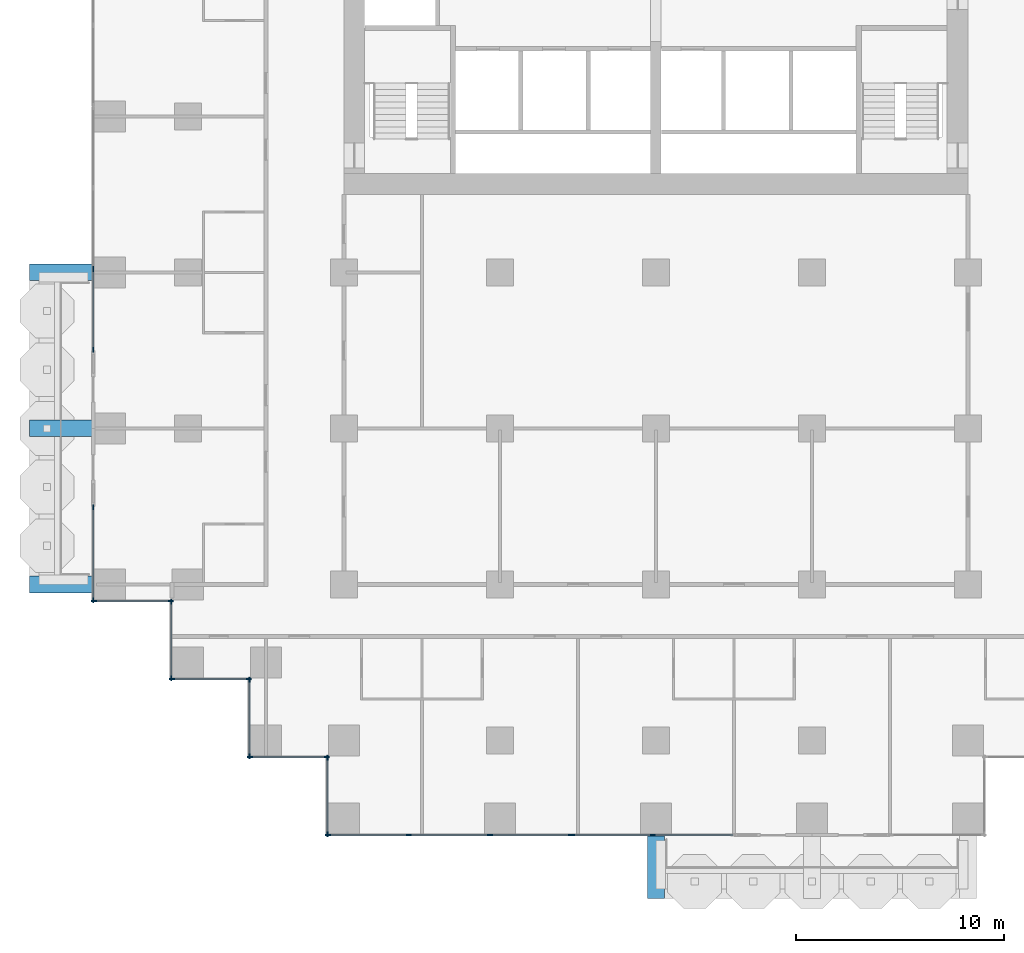
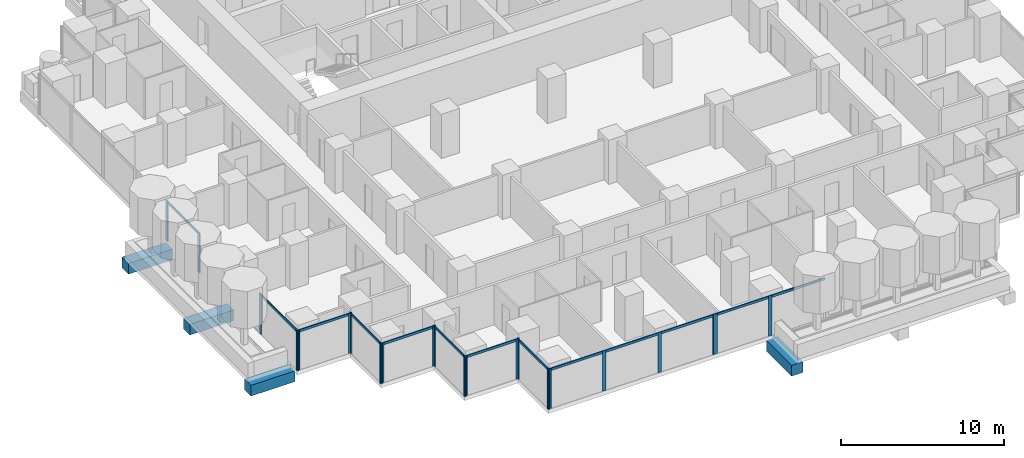
# One storey, part 2 of 19: 35 members, 4 beams, 10 elements without a shape of their own.
"""IFC4 building model written with IfcOpenShell, lengths in metres."""

from ifc_helpers import new_model, si_unit, direction, frame, origin, origin_2d, place, context, subcontext, project, spatial, rectangle, extrude, material, material_profile, profile_set, type_object, element, aggregate, save


model = new_model("IFC4")

# Units and contexts
model_context = context("Model", 3, precision=1e-05, world=origin(), true_north=direction((0.0, 1.0)))
body_context = subcontext(model_context, "Body", "Model", "MODEL_VIEW")
ifc_project = project(units=[si_unit("LENGTHUNIT", "METRE"), si_unit("AREAUNIT", "SQUARE_METRE"), si_unit("VOLUMEUNIT", "CUBIC_METRE"), si_unit("PLANEANGLEUNIT", "RADIAN"), si_unit("MASSUNIT", "GRAM", prefix="KILO")], contexts=[model_context])

# Site, building, storey
site_placement = place(None, origin())
site = spatial("IfcSite", under=ifc_project, at=site_placement, CompositionType="ELEMENT")
building_placement = place(site_placement, origin())
building = spatial("IfcBuilding", under=site, at=building_placement, Name="Pilkhan Gate Tower", CompositionType="ELEMENT")
storey_placement = place(building_placement, frame((0.0, 0.0, 79.10009765625)))
storey = spatial("IfcBuildingStorey", under=building, at=storey_placement, Name="L18", CompositionType="ELEMENT", Elevation=79.10009765625)

# Beams
ifc_material_1 = material(Name="Concrete C50/60", Category="concrete")
ifc_material_profile_1 = material_profile(ifc_material_1, rectangle(XDim=0.800048828125, YDim=0.800048828125, at=origin_2d()), Name="RC 800x800")
ifc_profile_set_1 = profile_set([ifc_material_profile_1], Name="Concrete C50/60")
beam_type = type_object("IfcBeamType", Name="Cantilever beam CB2 RC 800x800 C50/60", PredefinedType="BEAM", material=ifc_profile_set_1)
for number, where, z_axis, x_axis, name in (
    (1, (75.0, 40.5, -0.7001953125), (0.0, -1.0, 0.0), (1.0, 0.0, 0.0), "Balcony beam S.1 L18"),
    (2, (48.0, 52.5, -0.7001953125), (-1.0, 0.0, 0.0), (0.0, -1.0, 0.0), "Balcony beam W.1 L18"),
    (3, (48.0, 60.0, -0.7001953125), (-1.0, 0.0, 0.0), (0.0, -1.0, 0.0), "Balcony beam W.2 L18"),
    (4, (48.0, 67.5, -0.7001953125), (-1.0, 0.0, 0.0), (0.0, -1.0, 0.0), "Balcony beam W.3 L18"),
):
    element("IfcBeam", number, at=place(storey_placement, frame(where, z_axis=z_axis, x_axis=x_axis)), inside=storey, type_object=beam_type, Name=name, PredefinedType="BEAM", context=body_context, shape_type="SweptSolid", body=[
        extrude(rectangle(XDim=0.800048828125, YDim=0.800048828125, at=origin_2d()), origin(), (0.0, 0.0, 1.0), 3.10009765625),
    ])

# Curtain wall, members
ifc_material_2 = material(Name="Pale anodised aluminium, clear low-iron double glazing", Category="aluminium")
curtain_wall_type = type_object("IfcCurtainWallType", Name="Hotel unitised curtain wall CW-H", PredefinedType="USERDEFINED", material=ifc_material_2)
curtain_wall_1_placement = place(storey_placement, origin())
curtain_wall_1 = element("IfcCurtainWall", 5, at=curtain_wall_1_placement, inside=storey, type_object=curtain_wall_type, Name="Hotel unitised curtain wall CW-H L18 W", ObjectType="UNITISED CURTAIN WALL", PredefinedType="USERDEFINED")
ifc_material_3 = material(Name="Pale anodised aluminium", Category="aluminium")
ifc_material_profile_2 = material_profile(ifc_material_3, rectangle(XDim=0.06494140625, YDim=0.25, at=origin_2d()), Name="Mullion 250x65")
ifc_profile_set_2 = profile_set([ifc_material_profile_2], Name="Pale anodised aluminium")
member_type_1 = type_object("IfcMemberType", Name="Mullion CW-H 250x65", PredefinedType="MULLION", material=ifc_profile_set_2)
member_1_placement = place(storey_placement, frame((47.955078125, 51.737548828125, 0.0), z_axis=(0.0, 0.0, 1.0), x_axis=(-1.0, 0.0, 0.0)))
member_1 = element("IfcMember", 6, at=member_1_placement, type_object=member_type_1, Name="CW-H mullion 1", PredefinedType="MULLION", context=body_context, shape_type="SweptSolid", body=[
    extrude(rectangle(XDim=0.06494140625, YDim=0.25, at=origin_2d()), origin(), (0.0, 0.0, 1.0), 3.0),
])
member_2_placement = place(storey_placement, frame((47.955078125, 56.217529296875, 0.0), z_axis=(0.0, 0.0, 1.0), x_axis=(-1.0, 0.0, 0.0)))
member_2 = element("IfcMember", 7, at=member_2_placement, type_object=member_type_1, Name="CW-H mullion 2", PredefinedType="MULLION", context=body_context, shape_type="SweptSolid", body=[
    extrude(rectangle(XDim=0.06494140625, YDim=0.25, at=origin_2d()), origin(), (0.0, 0.0, 1.0), 3.0),
])

curtain_wall_2_placement = place(storey_placement, origin())
curtain_wall_2 = element("IfcCurtainWall", 8, at=curtain_wall_2_placement, inside=storey, type_object=curtain_wall_type, Name="Hotel unitised curtain wall CW-H L18 W", ObjectType="UNITISED CURTAIN WALL", PredefinedType="USERDEFINED")
member_3_placement = place(storey_placement, frame((47.955078125, 63.782470703125, 0.0), z_axis=(0.0, 0.0, 1.0), x_axis=(-1.0, 0.0, 0.0)))
member_3 = element("IfcMember", 9, at=member_3_placement, type_object=member_type_1, Name="CW-H mullion 1", PredefinedType="MULLION", context=body_context, shape_type="SweptSolid", body=[
    extrude(rectangle(XDim=0.06494140625, YDim=0.25, at=origin_2d()), origin(), (0.0, 0.0, 1.0), 3.0),
])
member_4_placement = place(storey_placement, frame((47.955078125, 67.658935546875, 0.0), z_axis=(0.0, 0.0, 1.0), x_axis=(-1.0, 0.0, 0.0)))
member_4 = element("IfcMember", 10, at=member_4_placement, type_object=member_type_1, Name="CW-H mullion 2", PredefinedType="MULLION", context=body_context, shape_type="SweptSolid", body=[
    extrude(rectangle(XDim=0.06494140625, YDim=0.25, at=origin_2d()), origin(), (0.0, 0.0, 1.0), 3.0),
])

curtain_wall_3_placement = place(storey_placement, origin())
curtain_wall_3 = element("IfcCurtainWall", 11, at=curtain_wall_3_placement, inside=storey, type_object=curtain_wall_type, Name="Hotel unitised curtain wall CW-H L18 S", ObjectType="UNITISED CURTAIN WALL", PredefinedType="USERDEFINED")
member_5_placement = place(storey_placement, frame((47.987548828125, 51.705078125, 0.0), z_axis=(0.0, 0.0, 1.0), x_axis=(0.0, 1.0, 0.0)))
member_5 = element("IfcMember", 12, at=member_5_placement, type_object=member_type_1, Name="CW-H mullion 1", PredefinedType="MULLION", context=body_context, shape_type="SweptSolid", body=[
    extrude(rectangle(XDim=0.06494140625, YDim=0.25, at=origin_2d()), origin(), (0.0, 0.0, 1.0), 3.0),
])
member_6_placement = place(storey_placement, frame((51.672607421875, 51.705078125, 0.0), z_axis=(0.0, 0.0, 1.0), x_axis=(0.0, 1.0, 0.0)))
member_6 = element("IfcMember", 13, at=member_6_placement, type_object=member_type_1, Name="CW-H mullion 2", PredefinedType="MULLION", context=body_context, shape_type="SweptSolid", body=[
    extrude(rectangle(XDim=0.06494140625, YDim=0.25, at=origin_2d()), origin(), (0.0, 0.0, 1.0), 3.0),
])

curtain_wall_4_placement = place(storey_placement, origin())
curtain_wall_4 = element("IfcCurtainWall", 14, at=curtain_wall_4_placement, inside=storey, type_object=curtain_wall_type, Name="Hotel unitised curtain wall CW-H L18 W", ObjectType="UNITISED CURTAIN WALL", PredefinedType="USERDEFINED")
member_7_placement = place(storey_placement, frame((51.705078125, 47.987548828125, 0.0), z_axis=(0.0, 0.0, 1.0), x_axis=(-1.0, 0.0, 0.0)))
member_7 = element("IfcMember", 15, at=member_7_placement, type_object=member_type_1, Name="CW-H mullion 1", PredefinedType="MULLION", context=body_context, shape_type="SweptSolid", body=[
    extrude(rectangle(XDim=0.06494140625, YDim=0.25, at=origin_2d()), origin(), (0.0, 0.0, 1.0), 3.0),
])
member_8_placement = place(storey_placement, frame((51.705078125, 51.672607421875, 0.0), z_axis=(0.0, 0.0, 1.0), x_axis=(-1.0, 0.0, 0.0)))
member_8 = element("IfcMember", 16, at=member_8_placement, type_object=member_type_1, Name="CW-H mullion 2", PredefinedType="MULLION", context=body_context, shape_type="SweptSolid", body=[
    extrude(rectangle(XDim=0.06494140625, YDim=0.25, at=origin_2d()), origin(), (0.0, 0.0, 1.0), 3.0),
])

curtain_wall_5_placement = place(storey_placement, origin())
curtain_wall_5 = element("IfcCurtainWall", 17, at=curtain_wall_5_placement, inside=storey, type_object=curtain_wall_type, Name="Hotel unitised curtain wall CW-H L18 S", ObjectType="UNITISED CURTAIN WALL", PredefinedType="USERDEFINED")
member_9_placement = place(storey_placement, frame((51.737548828125, 47.955078125, 0.0), z_axis=(0.0, 0.0, 1.0), x_axis=(0.0, 1.0, 0.0)))
member_9 = element("IfcMember", 18, at=member_9_placement, type_object=member_type_1, Name="CW-H mullion 1", PredefinedType="MULLION", context=body_context, shape_type="SweptSolid", body=[
    extrude(rectangle(XDim=0.06494140625, YDim=0.25, at=origin_2d()), origin(), (0.0, 0.0, 1.0), 3.0),
])
member_10_placement = place(storey_placement, frame((55.422607421875, 47.955078125, 0.0), z_axis=(0.0, 0.0, 1.0), x_axis=(0.0, 1.0, 0.0)))
member_10 = element("IfcMember", 19, at=member_10_placement, type_object=member_type_1, Name="CW-H mullion 2", PredefinedType="MULLION", context=body_context, shape_type="SweptSolid", body=[
    extrude(rectangle(XDim=0.06494140625, YDim=0.25, at=origin_2d()), origin(), (0.0, 0.0, 1.0), 3.0),
])

curtain_wall_6_placement = place(storey_placement, origin())
curtain_wall_6 = element("IfcCurtainWall", 20, at=curtain_wall_6_placement, inside=storey, type_object=curtain_wall_type, Name="Hotel unitised curtain wall CW-H L18 W", ObjectType="UNITISED CURTAIN WALL", PredefinedType="USERDEFINED")
member_11_placement = place(storey_placement, frame((55.455078125, 44.237548828125, 0.0), z_axis=(0.0, 0.0, 1.0), x_axis=(-1.0, 0.0, 0.0)))
member_11 = element("IfcMember", 21, at=member_11_placement, type_object=member_type_1, Name="CW-H mullion 1", PredefinedType="MULLION", context=body_context, shape_type="SweptSolid", body=[
    extrude(rectangle(XDim=0.06494140625, YDim=0.25, at=origin_2d()), origin(), (0.0, 0.0, 1.0), 3.0),
])
member_12_placement = place(storey_placement, frame((55.455078125, 47.922607421875, 0.0), z_axis=(0.0, 0.0, 1.0), x_axis=(-1.0, 0.0, 0.0)))
member_12 = element("IfcMember", 22, at=member_12_placement, type_object=member_type_1, Name="CW-H mullion 2", PredefinedType="MULLION", context=body_context, shape_type="SweptSolid", body=[
    extrude(rectangle(XDim=0.06494140625, YDim=0.25, at=origin_2d()), origin(), (0.0, 0.0, 1.0), 3.0),
])

curtain_wall_7_placement = place(storey_placement, origin())
curtain_wall_7 = element("IfcCurtainWall", 23, at=curtain_wall_7_placement, inside=storey, type_object=curtain_wall_type, Name="Hotel unitised curtain wall CW-H L18 S", ObjectType="UNITISED CURTAIN WALL", PredefinedType="USERDEFINED")
member_13_placement = place(storey_placement, frame((55.487548828125, 44.205078125, 0.0), z_axis=(0.0, 0.0, 1.0), x_axis=(0.0, 1.0, 0.0)))
member_13 = element("IfcMember", 24, at=member_13_placement, type_object=member_type_1, Name="CW-H mullion 1", PredefinedType="MULLION", context=body_context, shape_type="SweptSolid", body=[
    extrude(rectangle(XDim=0.06494140625, YDim=0.25, at=origin_2d()), origin(), (0.0, 0.0, 1.0), 3.0),
])
member_14_placement = place(storey_placement, frame((59.172607421875, 44.205078125, 0.0), z_axis=(0.0, 0.0, 1.0), x_axis=(0.0, 1.0, 0.0)))
member_14 = element("IfcMember", 25, at=member_14_placement, type_object=member_type_1, Name="CW-H mullion 2", PredefinedType="MULLION", context=body_context, shape_type="SweptSolid", body=[
    extrude(rectangle(XDim=0.06494140625, YDim=0.25, at=origin_2d()), origin(), (0.0, 0.0, 1.0), 3.0),
])

curtain_wall_8_placement = place(storey_placement, origin())
curtain_wall_8 = element("IfcCurtainWall", 26, at=curtain_wall_8_placement, inside=storey, type_object=curtain_wall_type, Name="Hotel unitised curtain wall CW-H L18 W", ObjectType="UNITISED CURTAIN WALL", PredefinedType="USERDEFINED")
member_15_placement = place(storey_placement, frame((59.205078125, 40.487548828125, 0.0), z_axis=(0.0, 0.0, 1.0), x_axis=(-1.0, 0.0, 0.0)))
member_15 = element("IfcMember", 27, at=member_15_placement, type_object=member_type_1, Name="CW-H mullion 1", PredefinedType="MULLION", context=body_context, shape_type="SweptSolid", body=[
    extrude(rectangle(XDim=0.06494140625, YDim=0.25, at=origin_2d()), origin(), (0.0, 0.0, 1.0), 3.0),
])
member_16_placement = place(storey_placement, frame((59.205078125, 44.172607421875, 0.0), z_axis=(0.0, 0.0, 1.0), x_axis=(-1.0, 0.0, 0.0)))
member_16 = element("IfcMember", 28, at=member_16_placement, type_object=member_type_1, Name="CW-H mullion 2", PredefinedType="MULLION", context=body_context, shape_type="SweptSolid", body=[
    extrude(rectangle(XDim=0.06494140625, YDim=0.25, at=origin_2d()), origin(), (0.0, 0.0, 1.0), 3.0),
])

curtain_wall_9_placement = place(storey_placement, origin())
curtain_wall_9 = element("IfcCurtainWall", 29, at=curtain_wall_9_placement, inside=storey, type_object=curtain_wall_type, Name="Hotel unitised curtain wall CW-H L18 S", ObjectType="UNITISED CURTAIN WALL", PredefinedType="USERDEFINED")
member_17_placement = place(storey_placement, frame((59.237548828125, 40.455078125, 0.0), z_axis=(0.0, 0.0, 1.0), x_axis=(0.0, 1.0, 0.0)))
member_17 = element("IfcMember", 30, at=member_17_placement, type_object=member_type_1, Name="CW-H mullion 1", PredefinedType="MULLION", context=body_context, shape_type="SweptSolid", body=[
    extrude(rectangle(XDim=0.06494140625, YDim=0.25, at=origin_2d()), origin(), (0.0, 0.0, 1.0), 3.0),
])
member_18_placement = place(storey_placement, frame((63.114013671875, 40.455078125, 0.0), z_axis=(0.0, 0.0, 1.0), x_axis=(0.0, 1.0, 0.0)))
member_18 = element("IfcMember", 31, at=member_18_placement, type_object=member_type_1, Name="CW-H mullion 2", PredefinedType="MULLION", context=body_context, shape_type="SweptSolid", body=[
    extrude(rectangle(XDim=0.06494140625, YDim=0.25, at=origin_2d()), origin(), (0.0, 0.0, 1.0), 3.0),
])
member_19_placement = place(storey_placement, frame((67.02294921875, 40.455078125, 0.0), z_axis=(0.0, 0.0, 1.0), x_axis=(0.0, 1.0, 0.0)))
member_19 = element("IfcMember", 32, at=member_19_placement, type_object=member_type_1, Name="CW-H mullion 3", PredefinedType="MULLION", context=body_context, shape_type="SweptSolid", body=[
    extrude(rectangle(XDim=0.06494140625, YDim=0.25, at=origin_2d()), origin(), (0.0, 0.0, 1.0), 3.0),
])
member_20_placement = place(storey_placement, frame((70.8994140625, 40.455078125, 0.0), z_axis=(0.0, 0.0, 1.0), x_axis=(0.0, 1.0, 0.0)))
member_20 = element("IfcMember", 33, at=member_20_placement, type_object=member_type_1, Name="CW-H mullion 4", PredefinedType="MULLION", context=body_context, shape_type="SweptSolid", body=[
    extrude(rectangle(XDim=0.06494140625, YDim=0.25, at=origin_2d()), origin(), (0.0, 0.0, 1.0), 3.0),
])

curtain_wall_10_placement = place(storey_placement, origin())
curtain_wall_10 = element("IfcCurtainWall", 34, at=curtain_wall_10_placement, inside=storey, type_object=curtain_wall_type, Name="Hotel unitised curtain wall CW-H L18 S", ObjectType="UNITISED CURTAIN WALL", PredefinedType="USERDEFINED")
member_21_placement = place(storey_placement, frame((70.964599609375, 40.455078125, 0.0), z_axis=(0.0, 0.0, 1.0), x_axis=(0.0, 1.0, 0.0)))
member_21 = element("IfcMember", 35, at=member_21_placement, type_object=member_type_1, Name="CW-H mullion 1", PredefinedType="MULLION", context=body_context, shape_type="SweptSolid", body=[
    extrude(rectangle(XDim=0.06494140625, YDim=0.25, at=origin_2d()), origin(), (0.0, 0.0, 1.0), 3.0),
])
member_22_placement = place(storey_placement, frame((74.841064453125, 40.455078125, 0.0), z_axis=(0.0, 0.0, 1.0), x_axis=(0.0, 1.0, 0.0)))
member_22 = element("IfcMember", 36, at=member_22_placement, type_object=member_type_1, Name="CW-H mullion 2", PredefinedType="MULLION", context=body_context, shape_type="SweptSolid", body=[
    extrude(rectangle(XDim=0.06494140625, YDim=0.25, at=origin_2d()), origin(), (0.0, 0.0, 1.0), 3.0),
])

# Member
ifc_material_profile_3 = material_profile(ifc_material_3, rectangle(XDim=0.06494140625, YDim=0.179931640625, at=origin_2d()), Name="Transom 180x65")
ifc_profile_set_3 = profile_set([ifc_material_profile_3], Name="Pale anodised aluminium")
member_type_2 = type_object("IfcMemberType", Name="Transom CW-H 180x65", PredefinedType="USERDEFINED", material=ifc_profile_set_3)
member_23_placement = place(storey_placement, frame((47.955078125, 51.77001953125, 2.909912109375), z_axis=(0.0, 1.0, 0.0), x_axis=(-1.0, 0.0, 0.0)))
member_23 = element("IfcMember", 37, at=member_23_placement, type_object=member_type_2, Name="CW-H transom 1", ObjectType="TRANSOM", PredefinedType="USERDEFINED", context=body_context, shape_type="SweptSolid", body=[
    extrude(rectangle(XDim=0.06494140625, YDim=0.179931640625, at=origin_2d()), origin(), (0.0, 0.0, 1.0), 4.4150390625),
])

aggregate(curtain_wall_1, [member_1, member_2, member_23])

member_24_placement = place(storey_placement, frame((47.955078125, 63.81494140625, 2.909912109375), z_axis=(0.0, 1.0, 0.0), x_axis=(-1.0, 0.0, 0.0)))
member_24 = element("IfcMember", 38, at=member_24_placement, type_object=member_type_2, Name="CW-H transom 1", ObjectType="TRANSOM", PredefinedType="USERDEFINED", context=body_context, shape_type="SweptSolid", body=[
    extrude(rectangle(XDim=0.06494140625, YDim=0.179931640625, at=origin_2d()), origin(), (0.0, 0.0, 1.0), 3.8115234375),
])

aggregate(curtain_wall_2, [member_3, member_4, member_24])

member_25_placement = place(storey_placement, frame((48.02001953125, 51.705078125, 2.909912109375), z_axis=(1.0, 0.0, 0.0), x_axis=(0.0, 1.0, 0.0)))
member_25 = element("IfcMember", 39, at=member_25_placement, type_object=member_type_2, Name="CW-H transom 1", ObjectType="TRANSOM", PredefinedType="USERDEFINED", context=body_context, shape_type="SweptSolid", body=[
    extrude(rectangle(XDim=0.06494140625, YDim=0.179931640625, at=origin_2d()), origin(), (0.0, 0.0, 1.0), 3.619873046875),
])

aggregate(curtain_wall_3, [member_5, member_6, member_25])

member_26_placement = place(storey_placement, frame((51.705078125, 48.02001953125, 2.909912109375), z_axis=(0.0, 1.0, 0.0), x_axis=(-1.0, 0.0, 0.0)))
member_26 = element("IfcMember", 40, at=member_26_placement, type_object=member_type_2, Name="CW-H transom 1", ObjectType="TRANSOM", PredefinedType="USERDEFINED", context=body_context, shape_type="SweptSolid", body=[
    extrude(rectangle(XDim=0.06494140625, YDim=0.179931640625, at=origin_2d()), origin(), (0.0, 0.0, 1.0), 3.619873046875),
])

aggregate(curtain_wall_4, [member_7, member_8, member_26])

member_27_placement = place(storey_placement, frame((51.77001953125, 47.955078125, 2.909912109375), z_axis=(1.0, 0.0, 0.0), x_axis=(0.0, 1.0, 0.0)))
member_27 = element("IfcMember", 41, at=member_27_placement, type_object=member_type_2, Name="CW-H transom 1", ObjectType="TRANSOM", PredefinedType="USERDEFINED", context=body_context, shape_type="SweptSolid", body=[
    extrude(rectangle(XDim=0.06494140625, YDim=0.179931640625, at=origin_2d()), origin(), (0.0, 0.0, 1.0), 3.619873046875),
])

aggregate(curtain_wall_5, [member_9, member_10, member_27])

member_28_placement = place(storey_placement, frame((55.455078125, 44.27001953125, 2.909912109375), z_axis=(0.0, 1.0, 0.0), x_axis=(-1.0, 0.0, 0.0)))
member_28 = element("IfcMember", 42, at=member_28_placement, type_object=member_type_2, Name="CW-H transom 1", ObjectType="TRANSOM", PredefinedType="USERDEFINED", context=body_context, shape_type="SweptSolid", body=[
    extrude(rectangle(XDim=0.06494140625, YDim=0.179931640625, at=origin_2d()), origin(), (0.0, 0.0, 1.0), 3.619873046875),
])

aggregate(curtain_wall_6, [member_11, member_12, member_28])

member_29_placement = place(storey_placement, frame((55.52001953125, 44.205078125, 2.909912109375), z_axis=(1.0, 0.0, 0.0), x_axis=(0.0, 1.0, 0.0)))
member_29 = element("IfcMember", 43, at=member_29_placement, type_object=member_type_2, Name="CW-H transom 1", ObjectType="TRANSOM", PredefinedType="USERDEFINED", context=body_context, shape_type="SweptSolid", body=[
    extrude(rectangle(XDim=0.06494140625, YDim=0.179931640625, at=origin_2d()), origin(), (0.0, 0.0, 1.0), 3.619873046875),
])

aggregate(curtain_wall_7, [member_13, member_14, member_29])

member_30_placement = place(storey_placement, frame((59.205078125, 40.52001953125, 2.909912109375), z_axis=(0.0, 1.0, 0.0), x_axis=(-1.0, 0.0, 0.0)))
member_30 = element("IfcMember", 44, at=member_30_placement, type_object=member_type_2, Name="CW-H transom 1", ObjectType="TRANSOM", PredefinedType="USERDEFINED", context=body_context, shape_type="SweptSolid", body=[
    extrude(rectangle(XDim=0.06494140625, YDim=0.179931640625, at=origin_2d()), origin(), (0.0, 0.0, 1.0), 3.619873046875),
])

aggregate(curtain_wall_8, [member_15, member_16, member_30])

member_31_placement = place(storey_placement, frame((59.27001953125, 40.455078125, 2.909912109375), z_axis=(1.0, 0.0, 0.0), x_axis=(0.0, 1.0, 0.0)))
member_31 = element("IfcMember", 45, at=member_31_placement, type_object=member_type_2, Name="CW-H transom 1", ObjectType="TRANSOM", PredefinedType="USERDEFINED", context=body_context, shape_type="SweptSolid", body=[
    extrude(rectangle(XDim=0.06494140625, YDim=0.179931640625, at=origin_2d()), origin(), (0.0, 0.0, 1.0), 3.8115234375),
])

member_32_placement = place(storey_placement, frame((63.146484375, 40.455078125, 2.909912109375), z_axis=(1.0, 0.0, 0.0), x_axis=(0.0, 1.0, 0.0)))
member_32 = element("IfcMember", 46, at=member_32_placement, type_object=member_type_2, Name="CW-H transom 2", ObjectType="TRANSOM", PredefinedType="USERDEFINED", context=body_context, shape_type="SweptSolid", body=[
    extrude(rectangle(XDim=0.06494140625, YDim=0.179931640625, at=origin_2d()), origin(), (0.0, 0.0, 1.0), 3.843994140625),
])

member_33_placement = place(storey_placement, frame((67.055419921875, 40.455078125, 2.909912109375), z_axis=(1.0, 0.0, 0.0), x_axis=(0.0, 1.0, 0.0)))
member_33 = element("IfcMember", 47, at=member_33_placement, type_object=member_type_2, Name="CW-H transom 3", ObjectType="TRANSOM", PredefinedType="USERDEFINED", context=body_context, shape_type="SweptSolid", body=[
    extrude(rectangle(XDim=0.06494140625, YDim=0.179931640625, at=origin_2d()), origin(), (0.0, 0.0, 1.0), 3.8115234375),
])

aggregate(curtain_wall_9, [member_17, member_18, member_19, member_20, member_31, member_32, member_33])

member_34_placement = place(storey_placement, frame((70.9970703125, 40.455078125, 2.909912109375), z_axis=(1.0, 0.0, 0.0), x_axis=(0.0, 1.0, 0.0)))
member_34 = element("IfcMember", 48, at=member_34_placement, type_object=member_type_2, Name="CW-H transom 1", ObjectType="TRANSOM", PredefinedType="USERDEFINED", context=body_context, shape_type="SweptSolid", body=[
    extrude(rectangle(XDim=0.06494140625, YDim=0.179931640625, at=origin_2d()), origin(), (0.0, 0.0, 1.0), 3.8115234375),
])

member_35_placement = place(storey_placement, frame((74.87353515625, 40.455078125, 2.909912109375), z_axis=(1.0, 0.0, 0.0), x_axis=(0.0, 1.0, 0.0)))
member_35 = element("IfcMember", 49, at=member_35_placement, type_object=member_type_2, Name="CW-H transom 2", ObjectType="TRANSOM", PredefinedType="USERDEFINED", context=body_context, shape_type="SweptSolid", body=[
    extrude(rectangle(XDim=0.06494140625, YDim=0.179931640625, at=origin_2d()), origin(), (0.0, 0.0, 1.0), 3.8115234375),
])

aggregate(curtain_wall_10, [member_21, member_22, member_34, member_35])

save(model, "model.ifc")
